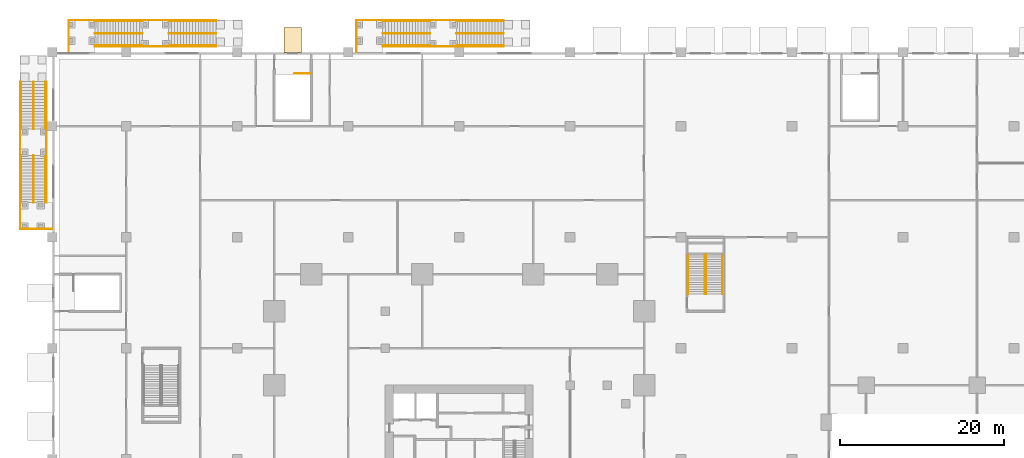
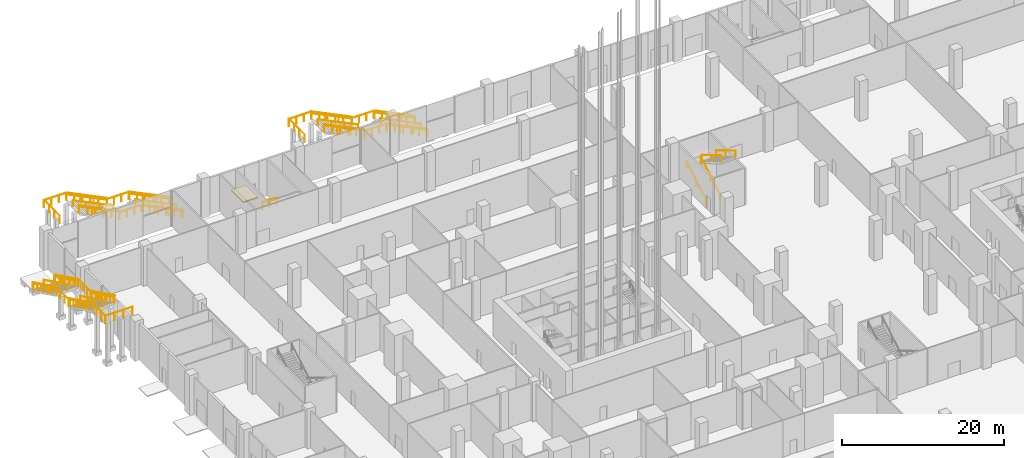
# One storey, part 63 of 68: 47 railings, 1 covering.
"""IFC4 building model written with IfcOpenShell, lengths in metres."""

from ifc_helpers import new_model, si_unit, direction, frame, origin, origin_2d, place, context, subcontext, project, spatial, polyline, circle, outline, extrude, source, transform, mapped, material, layer, layer_set, type_object, element, save


model = new_model("IFC4")

# Units and contexts
model_context = context("Model", 3, precision=1e-05, world=origin(), true_north=direction((0.0, 1.0)))
body_context = subcontext(model_context, "Body", "Model", "MODEL_VIEW")
ifc_project = project(units=[si_unit("LENGTHUNIT", "METRE"), si_unit("AREAUNIT", "SQUARE_METRE"), si_unit("VOLUMEUNIT", "CUBIC_METRE"), si_unit("PLANEANGLEUNIT", "RADIAN"), si_unit("MASSUNIT", "GRAM", prefix="KILO")], contexts=[model_context])

# Site, building, storey
site_placement = place(None, origin())
site = spatial("IfcSite", under=ifc_project, at=site_placement, CompositionType="ELEMENT")
building_placement = place(site_placement, origin())
building = spatial("IfcBuilding", under=site, at=building_placement, Name="Altepetl Exchange Towers", CompositionType="ELEMENT")
storey_placement = place(building_placement, origin())
storey = spatial("IfcBuildingStorey", under=building, at=storey_placement, Name="L00 Ground concourse", CompositionType="ELEMENT", Elevation=0.0)

# Covering
ifc_material_1 = material(Name="Cantera limestone paving", Category="masonry")
ifc_layer = layer(ifc_material_1, 0.14990234375)
ifc_layer_set = layer_set([ifc_layer], Name="Cantera limestone paving")
covering_type = type_object("IfcCoveringType", Name="Paving 150 limestone", PredefinedType="FLOORING", material=ifc_layer_set)
covering_placement = place(storey_placement, frame((0.0, 0.0, -0.14990234375)))
element("IfcCovering", 1, at=covering_placement, inside=storey, type_object=covering_type, Name="Paving", PredefinedType="FLOORING", context=body_context, shape_type="SweptSolid", body=[
    extrude(outline(polyline([(28.199951171875, 99.0), (30.300048828125, 99.0), (30.300048828125, 102.0), (28.199951171875, 102.0), (28.199951171875, 99.0)])), origin(), (0.0, 0.0, 1.0), 0.14990234375),
])

# Railings
ifc_material_2 = material(Name="Laminated glass and steel", Category="steel")
railing_type_1 = type_object("IfcRailingType", Name="Hall gallery guard 1100", PredefinedType="GUARDRAIL", material=ifc_material_2)
shared_shape_1 = source(origin(), body_context, "Body", "SweptSolid", [
    extrude(circle(Radius=0.02001953125, at=origin_2d()), origin(), (0.0, 0.0, 1.0), 1.050048828125),
])
railing_1_placement = place(storey_placement, frame((31.5, 96.39990234375, 0.0)))
element("IfcRailing", 2, at=railing_1_placement, inside=storey, type_object=railing_type_1, Name="rail:P:L00:ES5top", PredefinedType="GUARDRAIL", context=body_context, shape_type="SweptSolid", body=[
    extrude(circle(Radius=0.02490234375, at=origin_2d()), frame((0.0, 0.0, 1.0751953125), z_axis=(-1.0, 0.0, 0.0), x_axis=(0.0, -1.0, 0.0)), (0.0, 0.0, 1.0), 2.02490234375),
    mapped(shared_shape_1, transform((0.0, 0.0, 0.0))),
    mapped(shared_shape_1, transform((-1.012451171875, 0.0, 0.0))),
    mapped(shared_shape_1, transform((-2.02490234375, 0.0, 0.0))),
])
for number, where, name in (
    (3, (10.9599609375, 102.89990234375, 3.176513671875), "rail:P:L00:G3flightA"),
    (4, (10.9599609375, 99.699951171875, 3.176513671875), "rail:P:L00:G3flightA_in"),
    (5, (19.919921875, 102.89990234375, 0.176513671875), "rail:P:L00:G3flightB"),
    (6, (19.919921875, 99.699951171875, 0.176513671875), "rail:P:L00:G3flightB_in"),
):
    element("IfcRailing", number, at=place(storey_placement, frame(where)), inside=storey, type_object=railing_type_1, Name=name, PredefinedType="GUARDRAIL", context=body_context, shape_type="SweptSolid", body=[
        extrude(circle(Radius=0.02490234375, at=origin_2d()), frame((0.0, 0.0, 1.0751953125), z_axis=(-0.897923672095, 0.0, 0.440151200262), x_axis=(0.0, -1.0, 0.0)), (0.0, 0.0, 1.0), 6.414794921875),
        mapped(shared_shape_1, transform((0.0, 0.0, 0.0))),
        mapped(shared_shape_1, transform((-1.152099609375, 0.0, 0.564697265625))),
        mapped(shared_shape_1, transform((-2.303955078125, 0.0, 1.12939453125))),
        mapped(shared_shape_1, transform((-3.4560546875, 0.0, 1.694091796875))),
        mapped(shared_shape_1, transform((-4.60791015625, 0.0, 2.2587890625))),
        mapped(shared_shape_1, transform((-5.760009765625, 0.0, 2.823486328125))),
    ])
for number, where, name in (
    (7, (10.9599609375, 102.89990234375, 3.0), "rail:P:L00:G3mid"),
    (8, (10.9599609375, 99.699951171875, 3.0), "rail:P:L00:G3mid_in"),
):
    element("IfcRailing", number, at=place(storey_placement, frame(where)), inside=storey, type_object=railing_type_1, Name=name, PredefinedType="GUARDRAIL", context=body_context, shape_type="SweptSolid", body=[
        extrude(circle(Radius=0.02490234375, at=origin_2d()), frame((0.0, 0.0, 1.0751953125), z_axis=(1.0, 0.0, 0.0), x_axis=(0.0, 1.0, 0.0)), (0.0, 0.0, 1.0), 3.199951171875),
        mapped(shared_shape_1, transform((0.0, 0.0, 0.0))),
        mapped(shared_shape_1, transform((1.066650390625, 0.0, 0.0))),
        mapped(shared_shape_1, transform((2.13330078125, 0.0, 0.0))),
        mapped(shared_shape_1, transform((3.199951171875, 0.0, 0.0))),
    ])
railing_2_placement = place(storey_placement, frame((2.0, 99.0, 6.0)))
element("IfcRailing", 9, at=railing_2_placement, inside=storey, type_object=railing_type_1, Name="rail:P:L00:G3platform_end", PredefinedType="GUARDRAIL", context=body_context, shape_type="SweptSolid", body=[
    extrude(circle(Radius=0.02490234375, at=origin_2d()), frame((0.0, 0.0, 1.0751953125), z_axis=(0.0, 1.0, 0.0), x_axis=(-1.0, 0.0, 0.0)), (0.0, 0.0, 1.0), 3.89990234375),
    mapped(shared_shape_1, transform((0.0, 0.0, 0.0))),
    mapped(shared_shape_1, transform((0.0, 1.300048828125, 0.0))),
    mapped(shared_shape_1, transform((0.0, 2.599853515625, 0.0))),
    mapped(shared_shape_1, transform((0.0, 3.89990234375, 0.0))),
])
railing_3_placement = place(storey_placement, frame((2.0, 102.89990234375, 6.0)))
element("IfcRailing", 10, at=railing_3_placement, inside=storey, type_object=railing_type_1, Name="rail:P:L00:G3platform_out", PredefinedType="GUARDRAIL", context=body_context, shape_type="SweptSolid", body=[
    extrude(circle(Radius=0.02490234375, at=origin_2d()), frame((0.0, 0.0, 1.0751953125), z_axis=(1.0, 0.0, 0.0), x_axis=(0.0, 1.0, 0.0)), (0.0, 0.0, 1.0), 3.199951171875),
    mapped(shared_shape_1, transform((0.0, 0.0, 0.0))),
    mapped(shared_shape_1, transform((1.066650390625, 0.0, 0.0))),
    mapped(shared_shape_1, transform((2.13330078125, 0.0, 0.0))),
    mapped(shared_shape_1, transform((3.199951171875, 0.0, 0.0))),
])
for number, where, name in (
    (11, (45.9599609375, 102.89990234375, 3.176513671875), "rail:P:L00:G4flightA"),
    (12, (45.9599609375, 99.699951171875, 3.176513671875), "rail:P:L00:G4flightA_in"),
    (13, (54.919921875, 102.89990234375, 0.176513671875), "rail:P:L00:G4flightB"),
    (14, (54.919921875, 99.699951171875, 0.176513671875), "rail:P:L00:G4flightB_in"),
):
    element("IfcRailing", number, at=place(storey_placement, frame(where)), inside=storey, type_object=railing_type_1, Name=name, PredefinedType="GUARDRAIL", context=body_context, shape_type="SweptSolid", body=[
        extrude(circle(Radius=0.02490234375, at=origin_2d()), frame((0.0, 0.0, 1.0751953125), z_axis=(-0.897923672095, 0.0, 0.440151200262), x_axis=(0.0, -1.0, 0.0)), (0.0, 0.0, 1.0), 6.414794921875),
        mapped(shared_shape_1, transform((0.0, 0.0, 0.0))),
        mapped(shared_shape_1, transform((-1.152099609375, 0.0, 0.564697265625))),
        mapped(shared_shape_1, transform((-2.303955078125, 0.0, 1.12939453125))),
        mapped(shared_shape_1, transform((-3.4560546875, 0.0, 1.694091796875))),
        mapped(shared_shape_1, transform((-4.60791015625, 0.0, 2.2587890625))),
        mapped(shared_shape_1, transform((-5.760009765625, 0.0, 2.823486328125))),
    ])
for number, where, name in (
    (15, (45.9599609375, 102.89990234375, 3.0), "rail:P:L00:G4mid"),
    (16, (45.9599609375, 99.699951171875, 3.0), "rail:P:L00:G4mid_in"),
):
    element("IfcRailing", number, at=place(storey_placement, frame(where)), inside=storey, type_object=railing_type_1, Name=name, PredefinedType="GUARDRAIL", context=body_context, shape_type="SweptSolid", body=[
        extrude(circle(Radius=0.02490234375, at=origin_2d()), frame((0.0, 0.0, 1.0751953125), z_axis=(1.0, 0.0, 0.0), x_axis=(0.0, 1.0, 0.0)), (0.0, 0.0, 1.0), 3.199951171875),
        mapped(shared_shape_1, transform((0.0, 0.0, 0.0))),
        mapped(shared_shape_1, transform((1.066650390625, 0.0, 0.0))),
        mapped(shared_shape_1, transform((2.13330078125, 0.0, 0.0))),
        mapped(shared_shape_1, transform((3.199951171875, 0.0, 0.0))),
    ])
railing_4_placement = place(storey_placement, frame((37.0, 99.0, 6.0)))
element("IfcRailing", 17, at=railing_4_placement, inside=storey, type_object=railing_type_1, Name="rail:P:L00:G4platform_end", PredefinedType="GUARDRAIL", context=body_context, shape_type="SweptSolid", body=[
    extrude(circle(Radius=0.02490234375, at=origin_2d()), frame((0.0, 0.0, 1.0751953125), z_axis=(0.0, 1.0, 0.0), x_axis=(-1.0, 0.0, 0.0)), (0.0, 0.0, 1.0), 3.89990234375),
    mapped(shared_shape_1, transform((0.0, 0.0, 0.0))),
    mapped(shared_shape_1, transform((0.0, 1.300048828125, 0.0))),
    mapped(shared_shape_1, transform((0.0, 2.599853515625, 0.0))),
    mapped(shared_shape_1, transform((0.0, 3.89990234375, 0.0))),
])
railing_5_placement = place(storey_placement, frame((37.0, 102.89990234375, 6.0)))
element("IfcRailing", 18, at=railing_5_placement, inside=storey, type_object=railing_type_1, Name="rail:P:L00:G4platform_out", PredefinedType="GUARDRAIL", context=body_context, shape_type="SweptSolid", body=[
    extrude(circle(Radius=0.02490234375, at=origin_2d()), frame((0.0, 0.0, 1.0751953125), z_axis=(1.0, 0.0, 0.0), x_axis=(0.0, 1.0, 0.0)), (0.0, 0.0, 1.0), 3.199951171875),
    mapped(shared_shape_1, transform((0.0, 0.0, 0.0))),
    mapped(shared_shape_1, transform((1.066650390625, 0.0, 0.0))),
    mapped(shared_shape_1, transform((2.13330078125, 0.0, 0.0))),
    mapped(shared_shape_1, transform((3.199951171875, 0.0, 0.0))),
])
for number, where, name in (
    (19, (-3.89990234375, 86.4599609375, 3.176513671875), "rail:P:L00:G5flightA"),
    (20, (-0.699951171875, 86.4599609375, 3.176513671875), "rail:P:L00:G5flightA_in"),
    (21, (-3.89990234375, 95.419921875, 0.176513671875), "rail:P:L00:G5flightB"),
    (22, (-0.699951171875, 95.419921875, 0.176513671875), "rail:P:L00:G5flightB_in"),
):
    element("IfcRailing", number, at=place(storey_placement, frame(where)), inside=storey, type_object=railing_type_1, Name=name, PredefinedType="GUARDRAIL", context=body_context, shape_type="SweptSolid", body=[
        extrude(circle(Radius=0.02490234375, at=origin_2d()), frame((0.0, 0.0, 1.0751953125), z_axis=(0.0, -0.897923672095, 0.440151200262), x_axis=(1.0, 0.0, 0.0)), (0.0, 0.0, 1.0), 6.414794921875),
        mapped(shared_shape_1, transform((0.0, 0.0, 0.0))),
        mapped(shared_shape_1, transform((0.0, -1.152099609375, 0.564697265625))),
        mapped(shared_shape_1, transform((0.0, -2.303955078125, 1.12939453125))),
        mapped(shared_shape_1, transform((0.0, -3.4560546875, 1.694091796875))),
        mapped(shared_shape_1, transform((0.0, -4.60791015625, 2.2587890625))),
        mapped(shared_shape_1, transform((0.0, -5.760009765625, 2.823486328125))),
    ])
for number, where, name in (
    (23, (-3.89990234375, 86.4599609375, 3.0), "rail:P:L00:G5mid"),
    (24, (-0.699951171875, 86.4599609375, 3.0), "rail:P:L00:G5mid_in"),
):
    element("IfcRailing", number, at=place(storey_placement, frame(where)), inside=storey, type_object=railing_type_1, Name=name, PredefinedType="GUARDRAIL", context=body_context, shape_type="SweptSolid", body=[
        extrude(circle(Radius=0.02490234375, at=origin_2d()), frame((0.0, 0.0, 1.0751953125), z_axis=(0.0, 1.0, 0.0), x_axis=(-1.0, 0.0, 0.0)), (0.0, 0.0, 1.0), 3.199951171875),
        mapped(shared_shape_1, transform((0.0, 0.0, 0.0))),
        mapped(shared_shape_1, transform((0.0, 1.066650390625, 0.0))),
        mapped(shared_shape_1, transform((0.0, 2.13330078125, 0.0))),
        mapped(shared_shape_1, transform((0.0, 3.199951171875, 0.0))),
    ])
railing_6_placement = place(storey_placement, frame((0.0, 77.5, 6.0)))
element("IfcRailing", 25, at=railing_6_placement, inside=storey, type_object=railing_type_1, Name="rail:P:L00:G5platform_end", PredefinedType="GUARDRAIL", context=body_context, shape_type="SweptSolid", body=[
    extrude(circle(Radius=0.02490234375, at=origin_2d()), frame((0.0, 0.0, 1.0751953125), z_axis=(-1.0, 0.0, 0.0), x_axis=(0.0, -1.0, 0.0)), (0.0, 0.0, 1.0), 3.89990234375),
    mapped(shared_shape_1, transform((0.0, 0.0, 0.0))),
    mapped(shared_shape_1, transform((-1.300048828125, 0.0, 0.0))),
    mapped(shared_shape_1, transform((-2.599853515625, 0.0, 0.0))),
    mapped(shared_shape_1, transform((-3.89990234375, 0.0, 0.0))),
])
railing_7_placement = place(storey_placement, frame((-3.89990234375, 77.5, 6.0)))
element("IfcRailing", 26, at=railing_7_placement, inside=storey, type_object=railing_type_1, Name="rail:P:L00:G5platform_out", PredefinedType="GUARDRAIL", context=body_context, shape_type="SweptSolid", body=[
    extrude(circle(Radius=0.02490234375, at=origin_2d()), frame((0.0, 0.0, 1.0751953125), z_axis=(0.0, 1.0, 0.0), x_axis=(-1.0, 0.0, 0.0)), (0.0, 0.0, 1.0), 3.199951171875),
    mapped(shared_shape_1, transform((0.0, 0.0, 0.0))),
    mapped(shared_shape_1, transform((0.0, 1.066650390625, 0.0))),
    mapped(shared_shape_1, transform((0.0, 2.13330078125, 0.0))),
    mapped(shared_shape_1, transform((0.0, 3.199951171875, 0.0))),
])
ifc_material_3 = material(Name="Stainless steel", Category="steel")
railing_type_2 = type_object("IfcRailingType", Name="Stair handrail 900", PredefinedType="HANDRAIL", material=ifc_material_3)
shared_shape_2 = source(origin(), body_context, "Body", "SweptSolid", [
    extrude(circle(Radius=0.02001953125, at=origin_2d()), origin(), (0.0, 0.0, 1.0), 0.849853515625),
])
for number, where, name in (
    (27, (77.35009765625, 69.60009765625, 0.166748046875), "rail:P:L00:PX2:1a"),
    (28, (79.375, 69.60009765625, 0.166748046875), "rail:P:L00:PX2:1b"),
):
    element("IfcRailing", number, at=place(storey_placement, frame(where)), inside=storey, type_object=railing_type_2, Name=name, PredefinedType="HANDRAIL", context=body_context, shape_type="SweptSolid", body=[
        extrude(circle(Radius=0.02490234375, at=origin_2d()), frame((0.0, 0.0, 0.875), z_axis=(0.0, 0.859299802514, 0.511472237174), x_axis=(-1.0, 0.0, 0.0)), (0.0, 0.0, 1.0), 5.539306640625),
        mapped(shared_shape_2, transform((0.0, 0.0, 0.0))),
        mapped(shared_shape_2, transform((0.0, 2.3798828125, 1.41650390625))),
        mapped(shared_shape_2, transform((0.0, 4.760009765625, 2.833251953125))),
    ])
for number, where, name in (
    (29, (79.52490234375, 74.360107421875, 3.166748046875), "rail:P:L00:PX2:2a"),
    (30, (81.550048828125, 74.360107421875, 3.166748046875), "rail:P:L00:PX2:2b"),
):
    element("IfcRailing", number, at=place(storey_placement, frame(where)), inside=storey, type_object=railing_type_2, Name=name, PredefinedType="HANDRAIL", context=body_context, shape_type="SweptSolid", body=[
        extrude(circle(Radius=0.02490234375, at=origin_2d()), frame((0.0, 0.0, 0.875), z_axis=(0.0, -0.859299802514, 0.511472237174), x_axis=(1.0, 0.0, 0.0)), (0.0, 0.0, 1.0), 5.539306640625),
        mapped(shared_shape_2, transform((0.0, 0.0, 0.0))),
        mapped(shared_shape_2, transform((0.0, -2.3798828125, 1.41650390625))),
        mapped(shared_shape_2, transform((0.0, -4.760009765625, 2.833251953125))),
    ])
for number, where, name in (
    (31, (10.9599609375, 99.800048828125, 3.176513671875), "rail:P:L00:G3hA_in"),
    (32, (10.9599609375, 101.300048828125, 3.176513671875), "rail:P:L00:G3hA_mid"),
    (33, (10.9599609375, 102.800048828125, 3.176513671875), "rail:P:L00:G3hA_out"),
    (34, (19.919921875, 99.800048828125, 0.176513671875), "rail:P:L00:G3hB_in"),
    (35, (19.919921875, 101.300048828125, 0.176513671875), "rail:P:L00:G3hB_mid"),
    (36, (19.919921875, 102.800048828125, 0.176513671875), "rail:P:L00:G3hB_out"),
    (37, (45.9599609375, 99.800048828125, 3.176513671875), "rail:P:L00:G4hA_in"),
    (38, (45.9599609375, 101.300048828125, 3.176513671875), "rail:P:L00:G4hA_mid"),
    (39, (45.9599609375, 102.800048828125, 3.176513671875), "rail:P:L00:G4hA_out"),
    (40, (54.919921875, 99.800048828125, 0.176513671875), "rail:P:L00:G4hB_in"),
    (41, (54.919921875, 101.300048828125, 0.176513671875), "rail:P:L00:G4hB_mid"),
    (42, (54.919921875, 102.800048828125, 0.176513671875), "rail:P:L00:G4hB_out"),
):
    element("IfcRailing", number, at=place(storey_placement, frame(where)), inside=storey, type_object=railing_type_2, Name=name, PredefinedType="HANDRAIL", context=body_context, shape_type="SweptSolid", body=[
        extrude(circle(Radius=0.02490234375, at=origin_2d()), frame((0.0, 0.0, 0.875), z_axis=(-0.897923672095, 0.0, 0.440151200262), x_axis=(0.0, -1.0, 0.0)), (0.0, 0.0, 1.0), 6.414794921875),
        mapped(shared_shape_2, transform((0.0, 0.0, 0.0))),
        mapped(shared_shape_2, transform((-1.919921875, 0.0, 0.941162109375))),
        mapped(shared_shape_2, transform((-3.840087890625, 0.0, 1.88232421875))),
        mapped(shared_shape_2, transform((-5.760009765625, 0.0, 2.823486328125))),
    ])
for number, where, name in (
    (43, (-0.800048828125, 86.4599609375, 3.176513671875), "rail:P:L00:G5hA_in"),
    (44, (-2.300048828125, 86.4599609375, 3.176513671875), "rail:P:L00:G5hA_mid"),
    (45, (-3.800048828125, 86.4599609375, 3.176513671875), "rail:P:L00:G5hA_out"),
    (46, (-0.800048828125, 95.419921875, 0.176513671875), "rail:P:L00:G5hB_in"),
    (47, (-2.300048828125, 95.419921875, 0.176513671875), "rail:P:L00:G5hB_mid"),
    (48, (-3.800048828125, 95.419921875, 0.176513671875), "rail:P:L00:G5hB_out"),
):
    element("IfcRailing", number, at=place(storey_placement, frame(where)), inside=storey, type_object=railing_type_2, Name=name, PredefinedType="HANDRAIL", context=body_context, shape_type="SweptSolid", body=[
        extrude(circle(Radius=0.02490234375, at=origin_2d()), frame((0.0, 0.0, 0.875), z_axis=(0.0, -0.897923672095, 0.440151200262), x_axis=(1.0, 0.0, 0.0)), (0.0, 0.0, 1.0), 6.414794921875),
        mapped(shared_shape_2, transform((0.0, 0.0, 0.0))),
        mapped(shared_shape_2, transform((0.0, -1.919921875, 0.941162109375))),
        mapped(shared_shape_2, transform((0.0, -3.840087890625, 1.88232421875))),
        mapped(shared_shape_2, transform((0.0, -5.760009765625, 2.823486328125))),
    ])

save(model, "model.ifc")
